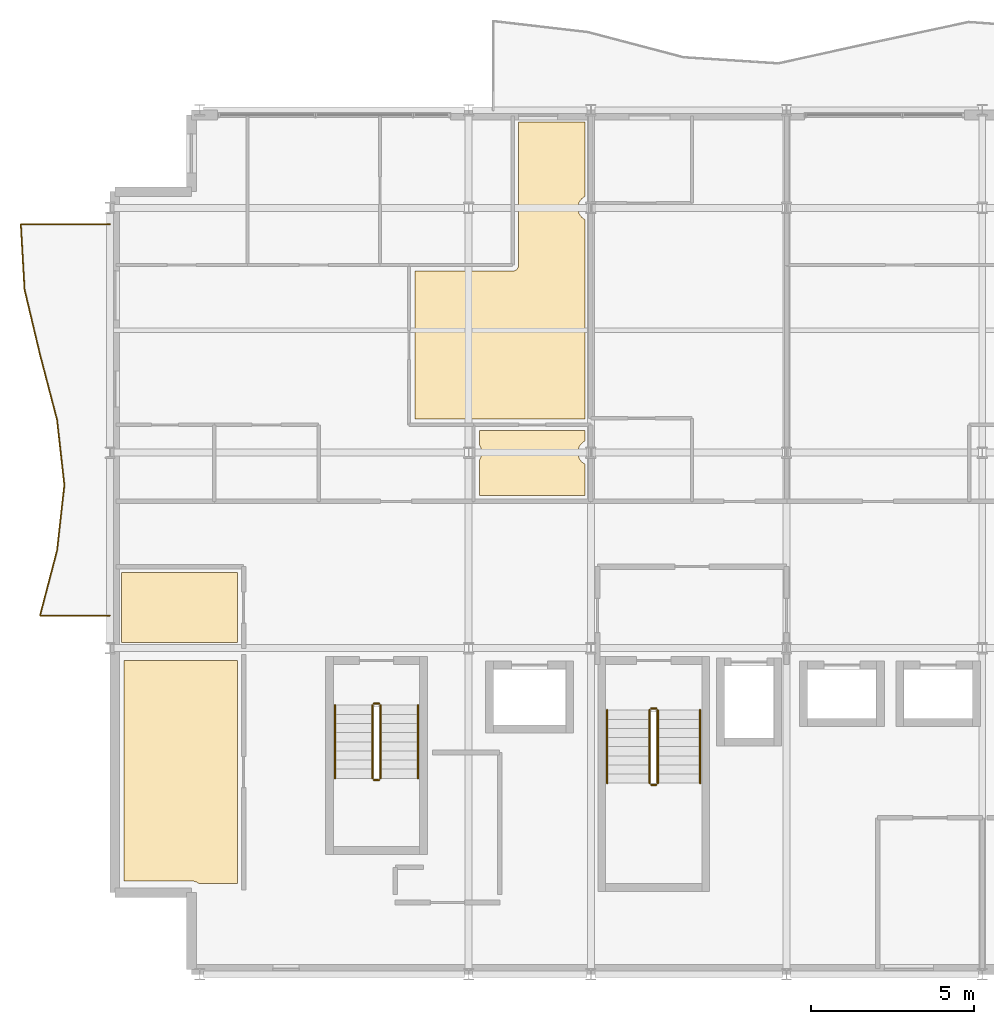
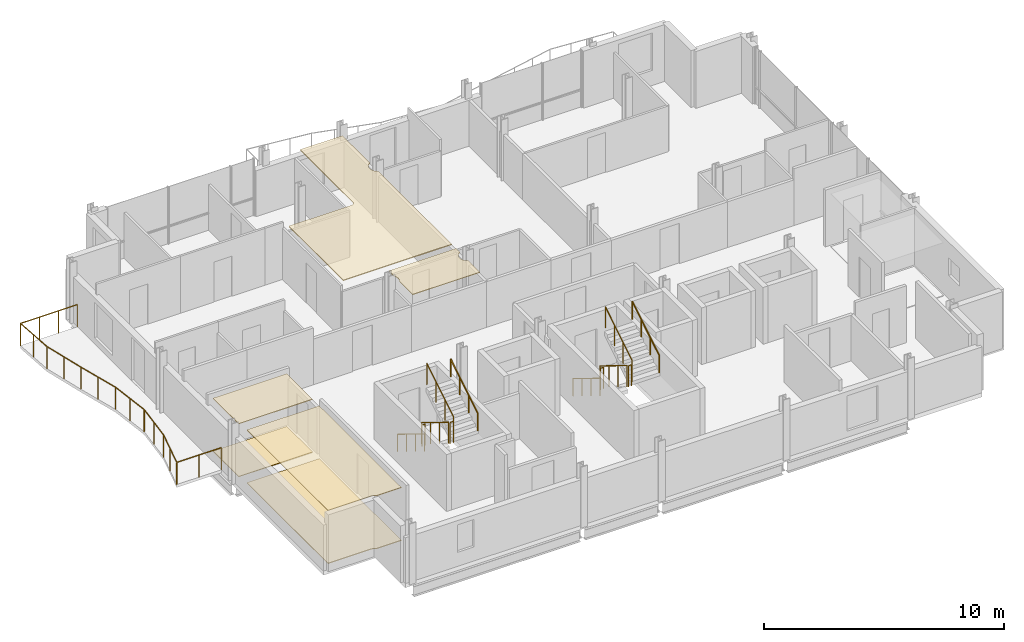
# One storey, part 11 of 12: 13 railings, 6 coverings.
"""IFC4 building model written with IfcOpenShell, lengths in metres."""

from ifc_helpers import new_model, si_unit, direction, frame, origin, origin_2d, place, context, subcontext, project, spatial, polyline, circle, outline, extrude, material, layer, layer_set, type_object, element, save


model = new_model("IFC4")

# Units and contexts
model_context = context("Model", 3, precision=1e-05, world=origin(), true_north=direction((0.0, 1.0)))
body_context = subcontext(model_context, "Body", "Model", "MODEL_VIEW")
ifc_project = project(units=[si_unit("LENGTHUNIT", "METRE"), si_unit("AREAUNIT", "SQUARE_METRE"), si_unit("VOLUMEUNIT", "CUBIC_METRE"), si_unit("PLANEANGLEUNIT", "RADIAN"), si_unit("MASSUNIT", "GRAM", prefix="KILO")], contexts=[model_context])

# Site, building, storey
site_placement = place(None, origin())
site = spatial("IfcSite", under=ifc_project, at=site_placement, CompositionType="ELEMENT")
building_placement = place(site_placement, origin())
building = spatial("IfcBuilding", under=site, at=building_placement, Name="Brevholm Reach", CompositionType="ELEMENT")
storey_placement = place(building_placement, frame((0.0, 0.0, 227.300048828125)))
storey = spatial("IfcBuildingStorey", under=building, at=storey_placement, Name="L69", CompositionType="ELEMENT", Elevation=227.300048828125)

# Coverings
ifc_material_1 = material(Name="Perforated Mineral-Fibre Class-A Acoustic Suspended Ceiling", Category="gypsum")
ifc_layer_1 = layer(ifc_material_1, 0.044921875)
ifc_layer_set_1 = layer_set([ifc_layer_1], Name="Perforated Mineral-Fibre Class-A Acoustic Suspended Ceiling")
covering_type_1 = type_object("IfcCoveringType", Name="COV-CLG-AC", PredefinedType="CEILING", material=ifc_layer_set_1)
covering_1_placement = place(storey_placement, frame((0.0, 0.0, 2.675048828125)))
element("IfcCovering", 1, at=covering_1_placement, inside=storey, type_object=covering_type_1, Name="L69 Suspended Ceiling L69-29", PredefinedType="CEILING", context=body_context, shape_type="SweptSolid", body=[
    extrude(outline(polyline([(36.597900390625, 17.030029296875), (36.597900390625, 21.566162109375), (39.603515625, 21.56689453125), (39.62109375, 21.56787109375), (39.638671875, 21.5703125), (39.65576171875, 21.57470703125), (39.67236328125, 21.58056640625), (39.6884765625, 21.588134765625), (39.70361328125, 21.59716796875), (39.7177734375, 21.60791015625), (39.730712890625, 21.61962890625), (39.74267578125, 21.6328125), (39.753173828125, 21.64697265625), (39.76220703125, 21.662109375), (39.769775390625, 21.677978515625), (39.775634765625, 21.694580078125), (39.780029296875, 21.711669921875), (39.78271484375, 21.729248046875), (39.783447265625, 21.746826171875), (39.784912109375, 26.139892578125), (41.820068359375, 26.139892578125), (41.820068359375, 23.856689453125), (41.811279296875, 23.852783203125), (41.77783203125, 23.83251953125), (41.74609375, 23.80908203125), (41.71728515625, 23.78271484375), (41.69091796875, 23.75390625), (41.66748046875, 23.72216796875), (41.647216796875, 23.688720703125), (41.63037109375, 23.653076171875), (41.6171875, 23.6162109375), (41.607666015625, 23.577880859375), (41.601806640625, 23.539306640625), (41.60009765625, 23.5), (41.601806640625, 23.460693359375), (41.607666015625, 23.422119140625), (41.6171875, 23.3837890625), (41.63037109375, 23.346923828125), (41.647216796875, 23.311279296875), (41.66748046875, 23.27783203125), (41.69091796875, 23.24609375), (41.71728515625, 23.21728515625), (41.74609375, 23.19091796875), (41.77783203125, 23.16748046875), (41.811279296875, 23.147216796875), (41.820068359375, 23.143310546875), (41.820068359375, 17.033935546875), (38.39990234375, 17.033935546875), (38.38232421875, 17.033203125), (38.364990234375, 17.030517578125), (38.36279296875, 17.030029296875), (36.597900390625, 17.030029296875)])), origin(), (0.0, 0.0, 1.0), 0.044921875),
])
ifc_material_2 = material(Name="Moisture-Resistant Skimmed Gypsum Plasterboard Ceiling", Category="gypsum")
ifc_layer_2 = layer(ifc_material_2, 0.030029296875)
ifc_layer_set_2 = layer_set([ifc_layer_2], Name="Moisture-Resistant Skimmed Gypsum Plasterboard Ceiling")
covering_type_2 = type_object("IfcCoveringType", Name="COV-CLG-GYP", PredefinedType="CEILING", material=ifc_layer_set_2)
covering_2_placement = place(storey_placement, frame((0.0, 0.0, 2.68994140625)))
element("IfcCovering", 2, at=covering_2_placement, inside=storey, type_object=covering_type_2, Name="L69 Suspended Ceiling L69-11", PredefinedType="CEILING", context=body_context, shape_type="SweptSolid", body=[
    extrude(outline(polyline([(31.166015625, 9.6201171875), (31.166015625, 2.780029296875), (29.9736328125, 2.780029296875), (29.94189453125, 2.803466796875), (29.92724609375, 2.81298828125), (29.911865234375, 2.821533203125), (29.8955078125, 2.828125), (29.845703125, 2.845947265625), (29.82470703125, 2.85205078125), (29.802978515625, 2.855712890625), (29.767822265625, 2.859130859375), (29.75, 2.860107421875), (27.679931640625, 2.860107421875), (27.679931640625, 9.6201171875), (31.166015625, 9.6201171875)])), origin(), (0.0, 0.0, 1.0), 0.030029296875),
])
covering_3_placement = place(storey_placement, frame((0.0, 0.0, 2.68994140625)))
element("IfcCovering", 3, at=covering_3_placement, inside=storey, type_object=covering_type_2, Name="L69 Suspended Ceiling L69-22", PredefinedType="CEILING", context=body_context, shape_type="SweptSolid", body=[
    extrude(outline(polyline([(27.610107421875, 10.179931640625), (27.610107421875, 12.31591796875), (31.166015625, 12.31591796875), (31.166015625, 10.179931640625), (27.610107421875, 10.179931640625)])), origin(), (0.0, 0.0, 1.0), 0.030029296875),
])
covering_4_placement = place(storey_placement, frame((0.0, 0.0, 2.68994140625)))
element("IfcCovering", 4, at=covering_4_placement, inside=storey, type_object=covering_type_2, Name="L69 Suspended Ceiling L69-25", PredefinedType="CEILING", context=body_context, shape_type="SweptSolid", body=[
    extrude(outline(polyline([(38.580078125, 15.7744140625), (38.58251953125, 15.77783203125), (38.602783203125, 15.811279296875), (38.61962890625, 15.846923828125), (38.6328125, 15.8837890625), (38.642333984375, 15.922119140625), (38.648193359375, 15.960693359375), (38.64990234375, 16.0), (38.648193359375, 16.039306640625), (38.642333984375, 16.077880859375), (38.6328125, 16.1162109375), (38.61962890625, 16.153076171875), (38.602783203125, 16.188720703125), (38.58251953125, 16.22216796875), (38.580078125, 16.2255859375), (38.580078125, 16.669921875), (41.820068359375, 16.669921875), (41.820068359375, 16.356689453125), (41.811279296875, 16.352783203125), (41.77783203125, 16.33251953125), (41.74609375, 16.30908203125), (41.71728515625, 16.28271484375), (41.69091796875, 16.25390625), (41.66748046875, 16.22216796875), (41.647216796875, 16.188720703125), (41.63037109375, 16.153076171875), (41.6171875, 16.1162109375), (41.607666015625, 16.077880859375), (41.601806640625, 16.039306640625), (41.60009765625, 16.0), (41.601806640625, 15.960693359375), (41.607666015625, 15.922119140625), (41.6171875, 15.8837890625), (41.63037109375, 15.846923828125), (41.647216796875, 15.811279296875), (41.66748046875, 15.77783203125), (41.69091796875, 15.74609375), (41.71728515625, 15.71728515625), (41.74609375, 15.69091796875), (41.77783203125, 15.66748046875), (41.811279296875, 15.647216796875), (41.820068359375, 15.643310546875), (41.820068359375, 14.68408203125), (38.580078125, 14.68408203125), (38.580078125, 15.7744140625)])), origin(), (0.0, 0.0, 1.0), 0.030029296875),
])
ifc_material_3 = material(Name="Honed Portland-Aggregate Resin Terrazzo Flooring", Category="concrete")
ifc_layer_3 = layer(ifc_material_3, 0.031982421875)
ifc_layer_set_3 = layer_set([ifc_layer_3], Name="Honed Portland-Aggregate Resin Terrazzo Flooring")
covering_type_3 = type_object("IfcCoveringType", Name="COV-FLR-TRZ", PredefinedType="FLOORING", material=ifc_layer_set_3)
covering_5_placement = place(storey_placement, origin())
element("IfcCovering", 5, at=covering_5_placement, inside=storey, type_object=covering_type_3, Name="L69 Floor Finish L69-11", PredefinedType="FLOORING", context=body_context, shape_type="SweptSolid", body=[
    extrude(outline(polyline([(31.166015625, 9.6201171875), (31.166015625, 2.780029296875), (29.9736328125, 2.780029296875), (29.94189453125, 2.803466796875), (29.92724609375, 2.81298828125), (29.911865234375, 2.821533203125), (29.8955078125, 2.828125), (29.845703125, 2.845947265625), (29.82470703125, 2.85205078125), (29.802978515625, 2.855712890625), (29.767822265625, 2.859130859375), (29.75, 2.860107421875), (27.679931640625, 2.860107421875), (27.679931640625, 9.6201171875), (31.166015625, 9.6201171875)])), origin(), (0.0, 0.0, 1.0), 0.031982421875),
])
covering_6_placement = place(storey_placement, origin())
element("IfcCovering", 6, at=covering_6_placement, inside=storey, type_object=covering_type_3, Name="L69 Floor Finish L69-22", PredefinedType="FLOORING", context=body_context, shape_type="SweptSolid", body=[
    extrude(outline(polyline([(27.610107421875, 10.179931640625), (27.610107421875, 12.31591796875), (31.166015625, 12.31591796875), (31.166015625, 10.179931640625), (27.610107421875, 10.179931640625)])), origin(), (0.0, 0.0, 1.0), 0.031982421875),
])

# Railings
ifc_material_4 = material(Name="Brushed Stainless Steel EN 1.4401 and Laminated Glass", Category="steel")
railing_type_1 = type_object("IfcRailingType", Name="RAL-BALC-1150", PredefinedType="BALUSTRADE", material=ifc_material_4)
railing_1_placement = place(storey_placement, frame((27.25, 23.0, 0.0)))
element("IfcRailing", 7, at=railing_1_placement, inside=storey, type_object=railing_type_1, Name="L69 Guard Balustrade RAL-L69-BAL-SLOT", PredefinedType="BALUSTRADE", context=body_context, shape_type="SweptSolid", body=[
    extrude(circle(Radius=0.02392578125, at=origin_2d()), frame((0.0, 0.0, 1.1259765625), z_axis=(-1.0, 0.0, 0.0), x_axis=(0.0, -1.0, 0.0)), (0.0, 0.0, 1.0), 2.735107421875),
    extrude(circle(Radius=0.02392578125, at=origin_2d()), frame((-2.735107421875, 0.0, 1.1259765625), z_axis=(0.056914431279, -0.998379060033, 0.0), x_axis=(0.998379060033, 0.056914431279, 0.0)), (0.0, 0.0, 1.0), 2.003173828125),
    extrude(circle(Radius=0.02392578125, at=origin_2d()), frame((-2.62109375, -2.0, 1.1259765625), z_axis=(0.231342224576, -0.972872435178, 0.0), x_axis=(0.972872435178, 0.231342224576, 0.0)), (0.0, 0.0, 1.0), 2.0556640625),
    extrude(circle(Radius=0.02392578125, at=origin_2d()), frame((-2.1455078125, -4.0, 1.1259765625), z_axis=(0.252638252457, -0.967560806045, 0.0), x_axis=(0.967560806045, 0.252638252457, 0.0)), (0.0, 0.0, 1.0), 2.067138671875),
    extrude(circle(Radius=0.02392578125, at=origin_2d()), frame((-1.623291015625, -6.0, 1.1259765625), z_axis=(0.111004059678, -0.993819952876, 0.0), x_axis=(0.993819952876, 0.111004059678, 0.0)), (0.0, 0.0, 1.0), 2.012451171875),
    extrude(circle(Radius=0.02392578125, at=origin_2d()), frame((-1.39990234375, -8.0, 1.1259765625), z_axis=(-0.111004059678, -0.993819952876, 0.0), x_axis=(0.993819952876, -0.111004059678, 0.0)), (0.0, 0.0, 1.0), 2.012451171875),
    extrude(circle(Radius=0.02392578125, at=origin_2d()), frame((-1.623291015625, -10.0, 1.1259765625), z_axis=(-0.252638252457, -0.967560806045, 0.0), x_axis=(0.967560806045, -0.252638252457, 0.0)), (0.0, 0.0, 1.0), 2.067138671875),
    extrude(circle(Radius=0.02392578125, at=origin_2d()), frame((-2.1455078125, -12.0, 1.1259765625), z_axis=(1.0, 0.0, 0.0), x_axis=(0.0, 1.0, 0.0)), (0.0, 0.0, 1.0), 2.1455078125),
    extrude(circle(Radius=0.02099609375, at=origin_2d()), origin(), (0.0, 0.0, 1.0), 1.101806640625),
    extrude(circle(Radius=0.02099609375, at=origin_2d()), frame((-0.91162109375, 0.0, 0.0)), (0.0, 0.0, 1.0), 1.101806640625),
    extrude(circle(Radius=0.02099609375, at=origin_2d()), frame((-1.823486328125, 0.0, 0.0)), (0.0, 0.0, 1.0), 1.101806640625),
    extrude(circle(Radius=0.02099609375, at=origin_2d()), frame((-2.735107421875, 0.0, 0.0)), (0.0, 0.0, 1.0), 1.101806640625),
    extrude(circle(Radius=0.02099609375, at=origin_2d()), frame((-2.67822265625, -1.0, 0.0)), (0.0, 0.0, 1.0), 1.101806640625),
    extrude(circle(Radius=0.02099609375, at=origin_2d()), frame((-2.62109375, -2.0, 0.0)), (0.0, 0.0, 1.0), 1.101806640625),
    extrude(circle(Radius=0.02099609375, at=origin_2d()), frame((-2.38330078125, -3.0, 0.0)), (0.0, 0.0, 1.0), 1.101806640625),
    extrude(circle(Radius=0.02099609375, at=origin_2d()), frame((-2.1455078125, -4.0, 0.0)), (0.0, 0.0, 1.0), 1.101806640625),
    extrude(circle(Radius=0.02099609375, at=origin_2d()), frame((-1.88427734375, -5.0, 0.0)), (0.0, 0.0, 1.0), 1.101806640625),
    extrude(circle(Radius=0.02099609375, at=origin_2d()), frame((-1.623291015625, -6.0, 0.0)), (0.0, 0.0, 1.0), 1.101806640625),
    extrude(circle(Radius=0.02099609375, at=origin_2d()), frame((-1.51171875, -7.0, 0.0)), (0.0, 0.0, 1.0), 1.101806640625),
    extrude(circle(Radius=0.02099609375, at=origin_2d()), frame((-1.39990234375, -8.0, 0.0)), (0.0, 0.0, 1.0), 1.101806640625),
    extrude(circle(Radius=0.02099609375, at=origin_2d()), frame((-1.51171875, -9.0, 0.0)), (0.0, 0.0, 1.0), 1.101806640625),
    extrude(circle(Radius=0.02099609375, at=origin_2d()), frame((-1.623291015625, -10.0, 0.0)), (0.0, 0.0, 1.0), 1.101806640625),
    extrude(circle(Radius=0.02099609375, at=origin_2d()), frame((-1.88427734375, -11.0, 0.0)), (0.0, 0.0, 1.0), 1.101806640625),
    extrude(circle(Radius=0.02099609375, at=origin_2d()), frame((-2.1455078125, -12.0, 0.0)), (0.0, 0.0, 1.0), 1.101806640625),
    extrude(circle(Radius=0.02099609375, at=origin_2d()), frame((-1.07275390625, -12.0, 0.0)), (0.0, 0.0, 1.0), 1.101806640625),
    extrude(circle(Radius=0.02099609375, at=origin_2d()), frame((0.0, -12.0, 0.0)), (0.0, 0.0, 1.0), 1.101806640625),
])
ifc_material_5 = material(Name="Brushed Stainless Steel EN 1.4401 Continuous Handrail", Category="steel")
railing_type_2 = type_object("IfcRailingType", Name="RAL-HND-950", PredefinedType="HANDRAIL", material=ifc_material_5)
railing_2_placement = place(storey_placement, frame((42.5, 8.10009765625, 0.172119140625)))
element("IfcRailing", 8, at=railing_2_placement, inside=storey, type_object=railing_type_2, Name="L69 ST-2 stair handrail 1", PredefinedType="HANDRAIL", context=body_context, shape_type="SweptSolid", body=[
    extrude(circle(Radius=0.02392578125, at=origin_2d()), frame((0.0, 0.0, 0.8857421875), z_axis=(0.0, -0.851747552033, 0.523952390591), x_axis=(1.0, 0.0, 0.0)), (0.0, 0.0, 1.0), 2.6298828125),
    extrude(circle(Radius=0.02099609375, at=origin_2d()), origin(), (0.0, 0.0, 1.0), 0.86181640625),
    extrude(circle(Radius=0.02099609375, at=origin_2d()), frame((0.0, -0.74658203125, 0.459228515625)), (0.0, 0.0, 1.0), 0.86181640625),
    extrude(circle(Radius=0.02099609375, at=origin_2d()), frame((0.0, -1.493408203125, 0.918701171875)), (0.0, 0.0, 1.0), 0.86181640625),
    extrude(circle(Radius=0.02099609375, at=origin_2d()), frame((0.0, -2.239990234375, 1.3779296875)), (0.0, 0.0, 1.0), 0.86181640625),
])
railing_3_placement = place(storey_placement, frame((45.35009765625, 5.860107421875, 1.72216796875)))
element("IfcRailing", 9, at=railing_3_placement, inside=storey, type_object=railing_type_2, Name="L69 ST-2 stair handrail 2", PredefinedType="HANDRAIL", context=body_context, shape_type="SweptSolid", body=[
    extrude(circle(Radius=0.02392578125, at=origin_2d()), frame((0.0, 0.0, 0.8857421875), z_axis=(0.0, 0.85178898068, 0.523885037382), x_axis=(-1.0, 0.0, 0.0)), (0.0, 0.0, 1.0), 2.629638671875),
    extrude(circle(Radius=0.02099609375, at=origin_2d()), origin(), (0.0, 0.0, 1.0), 0.86181640625),
    extrude(circle(Radius=0.02099609375, at=origin_2d()), frame((0.0, 0.74658203125, 0.459228515625)), (0.0, 0.0, 1.0), 0.86181640625),
    extrude(circle(Radius=0.02099609375, at=origin_2d()), frame((0.0, 1.493408203125, 0.91845703125)), (0.0, 0.0, 1.0), 0.86181640625),
    extrude(circle(Radius=0.02099609375, at=origin_2d()), frame((0.0, 2.239990234375, 1.377685546875)), (0.0, 0.0, 1.0), 0.86181640625),
])
railing_4_placement = place(storey_placement, frame((34.14990234375, 8.25, 0.172119140625)))
element("IfcRailing", 10, at=railing_4_placement, inside=storey, type_object=railing_type_2, Name="L69 ST-3 stair handrail 1", PredefinedType="HANDRAIL", context=body_context, shape_type="SweptSolid", body=[
    extrude(circle(Radius=0.02392578125, at=origin_2d()), frame((0.0, 0.0, 0.8857421875), z_axis=(0.0, -0.851747552033, 0.523952390591), x_axis=(1.0, 0.0, 0.0)), (0.0, 0.0, 1.0), 2.6298828125),
    extrude(circle(Radius=0.02099609375, at=origin_2d()), origin(), (0.0, 0.0, 1.0), 0.86181640625),
    extrude(circle(Radius=0.02099609375, at=origin_2d()), frame((0.0, -0.74658203125, 0.459228515625)), (0.0, 0.0, 1.0), 0.86181640625),
    extrude(circle(Radius=0.02099609375, at=origin_2d()), frame((0.0, -1.493408203125, 0.918701171875)), (0.0, 0.0, 1.0), 0.86181640625),
    extrude(circle(Radius=0.02099609375, at=origin_2d()), frame((0.0, -2.239990234375, 1.3779296875)), (0.0, 0.0, 1.0), 0.86181640625),
])
railing_5_placement = place(storey_placement, frame((36.699951171875, 6.010009765625, 1.72216796875)))
element("IfcRailing", 11, at=railing_5_placement, inside=storey, type_object=railing_type_2, Name="L69 ST-3 stair handrail 2", PredefinedType="HANDRAIL", context=body_context, shape_type="SweptSolid", body=[
    extrude(circle(Radius=0.02392578125, at=origin_2d()), frame((0.0, 0.0, 0.8857421875), z_axis=(0.0, 0.85178898068, 0.523885037382), x_axis=(-1.0, 0.0, 0.0)), (0.0, 0.0, 1.0), 2.629638671875),
    extrude(circle(Radius=0.02099609375, at=origin_2d()), origin(), (0.0, 0.0, 1.0), 0.86181640625),
    extrude(circle(Radius=0.02099609375, at=origin_2d()), frame((0.0, 0.74658203125, 0.459228515625)), (0.0, 0.0, 1.0), 0.86181640625),
    extrude(circle(Radius=0.02099609375, at=origin_2d()), frame((0.0, 1.493408203125, 0.91845703125)), (0.0, 0.0, 1.0), 0.86181640625),
    extrude(circle(Radius=0.02099609375, at=origin_2d()), frame((0.0, 2.239990234375, 1.377685546875)), (0.0, 0.0, 1.0), 0.86181640625),
])
ifc_material_6 = material(Name="Painted Tubular Galvanised Steel S275JR Stair Guard", Category="steel")
railing_type_3 = type_object("IfcRailingType", Name="RAL-STG-1120", PredefinedType="BALUSTRADE", material=ifc_material_6)
railing_6_placement = place(storey_placement, frame((43.800048828125, 8.10009765625, 0.172119140625)))
element("IfcRailing", 12, at=railing_6_placement, inside=storey, type_object=railing_type_3, Name="L69 ST-2 stair guard 1", PredefinedType="BALUSTRADE", context=body_context, shape_type="SweptSolid", body=[
    extrude(circle(Radius=0.02392578125, at=origin_2d()), frame((0.0, 0.0, 1.076171875), z_axis=(0.0, -0.851747552033, 0.523952390591), x_axis=(1.0, 0.0, 0.0)), (0.0, 0.0, 1.0), 2.6298828125),
    extrude(circle(Radius=0.02099609375, at=origin_2d()), origin(), (0.0, 0.0, 1.0), 1.052001953125),
    extrude(circle(Radius=0.02099609375, at=origin_2d()), frame((0.0, -0.74658203125, 0.459228515625)), (0.0, 0.0, 1.0), 1.052001953125),
    extrude(circle(Radius=0.02099609375, at=origin_2d()), frame((0.0, -1.493408203125, 0.918701171875)), (0.0, 0.0, 1.0), 1.052001953125),
    extrude(circle(Radius=0.02099609375, at=origin_2d()), frame((0.0, -2.239990234375, 1.3779296875)), (0.0, 0.0, 1.0), 1.052001953125),
])
railing_7_placement = place(storey_placement, frame((43.85009765625, 5.81005859375, 1.550048828125)))
element("IfcRailing", 13, at=railing_7_placement, inside=storey, type_object=railing_type_3, Name="L69 ST-2 stair guard 2", PredefinedType="BALUSTRADE", context=body_context, shape_type="SweptSolid", body=[
    extrude(circle(Radius=0.02392578125, at=origin_2d()), frame((0.0, 0.0, 1.076171875), z_axis=(1.0, 0.0, 0.0), x_axis=(0.0, 1.0, 0.0)), (0.0, 0.0, 1.0), 0.14990234375),
    extrude(circle(Radius=0.02099609375, at=origin_2d()), origin(), (0.0, 0.0, 1.0), 1.052001953125),
    extrude(circle(Radius=0.02099609375, at=origin_2d()), frame((0.14990234375, 0.0, 0.0)), (0.0, 0.0, 1.0), 1.052001953125),
])
railing_8_placement = place(storey_placement, frame((44.050048828125, 5.860107421875, 1.72216796875)))
element("IfcRailing", 14, at=railing_8_placement, inside=storey, type_object=railing_type_3, Name="L69 ST-2 stair guard 3", PredefinedType="BALUSTRADE", context=body_context, shape_type="SweptSolid", body=[
    extrude(circle(Radius=0.02392578125, at=origin_2d()), frame((0.0, 0.0, 1.076171875), z_axis=(0.0, 0.85178898068, 0.523885037382), x_axis=(-1.0, 0.0, 0.0)), (0.0, 0.0, 1.0), 2.629638671875),
    extrude(circle(Radius=0.02099609375, at=origin_2d()), origin(), (0.0, 0.0, 1.0), 1.052001953125),
    extrude(circle(Radius=0.02099609375, at=origin_2d()), frame((0.0, 0.74658203125, 0.459228515625)), (0.0, 0.0, 1.0), 1.052001953125),
    extrude(circle(Radius=0.02099609375, at=origin_2d()), frame((0.0, 1.493408203125, 0.91845703125)), (0.0, 0.0, 1.0), 1.052001953125),
    extrude(circle(Radius=0.02099609375, at=origin_2d()), frame((0.0, 2.239990234375, 1.377685546875)), (0.0, 0.0, 1.0), 1.052001953125),
])
railing_9_placement = place(storey_placement, frame((43.85009765625, 8.14990234375, 0.0)))
element("IfcRailing", 15, at=railing_9_placement, inside=storey, type_object=railing_type_3, Name="L69 ST-2 stair guard 4", PredefinedType="BALUSTRADE", context=body_context, shape_type="SweptSolid", body=[
    extrude(circle(Radius=0.02392578125, at=origin_2d()), frame((0.0, 0.0, 1.076171875), z_axis=(1.0, 0.0, 0.0), x_axis=(0.0, 1.0, 0.0)), (0.0, 0.0, 1.0), 0.14990234375),
    extrude(circle(Radius=0.02099609375, at=origin_2d()), origin(), (0.0, 0.0, 1.0), 1.052001953125),
    extrude(circle(Radius=0.02099609375, at=origin_2d()), frame((0.14990234375, 0.0, 0.0)), (0.0, 0.0, 1.0), 1.052001953125),
])
railing_10_placement = place(storey_placement, frame((35.300048828125, 8.25, 0.172119140625)))
element("IfcRailing", 16, at=railing_10_placement, inside=storey, type_object=railing_type_3, Name="L69 ST-3 stair guard 1", PredefinedType="BALUSTRADE", context=body_context, shape_type="SweptSolid", body=[
    extrude(circle(Radius=0.02392578125, at=origin_2d()), frame((0.0, 0.0, 1.076171875), z_axis=(0.0, -0.851747552033, 0.523952390591), x_axis=(1.0, 0.0, 0.0)), (0.0, 0.0, 1.0), 2.6298828125),
    extrude(circle(Radius=0.02099609375, at=origin_2d()), origin(), (0.0, 0.0, 1.0), 1.052001953125),
    extrude(circle(Radius=0.02099609375, at=origin_2d()), frame((0.0, -0.74658203125, 0.459228515625)), (0.0, 0.0, 1.0), 1.052001953125),
    extrude(circle(Radius=0.02099609375, at=origin_2d()), frame((0.0, -1.493408203125, 0.918701171875)), (0.0, 0.0, 1.0), 1.052001953125),
    extrude(circle(Radius=0.02099609375, at=origin_2d()), frame((0.0, -2.239990234375, 1.3779296875)), (0.0, 0.0, 1.0), 1.052001953125),
])
railing_11_placement = place(storey_placement, frame((35.35009765625, 5.9599609375, 1.550048828125)))
element("IfcRailing", 17, at=railing_11_placement, inside=storey, type_object=railing_type_3, Name="L69 ST-3 stair guard 2", PredefinedType="BALUSTRADE", context=body_context, shape_type="SweptSolid", body=[
    extrude(circle(Radius=0.02392578125, at=origin_2d()), frame((0.0, 0.0, 1.076171875), z_axis=(1.0, 0.0, 0.0), x_axis=(0.0, 1.0, 0.0)), (0.0, 0.0, 1.0), 0.14990234375),
    extrude(circle(Radius=0.02099609375, at=origin_2d()), origin(), (0.0, 0.0, 1.0), 1.052001953125),
    extrude(circle(Radius=0.02099609375, at=origin_2d()), frame((0.14990234375, 0.0, 0.0)), (0.0, 0.0, 1.0), 1.052001953125),
])
railing_12_placement = place(storey_placement, frame((35.550048828125, 6.010009765625, 1.72216796875)))
element("IfcRailing", 18, at=railing_12_placement, inside=storey, type_object=railing_type_3, Name="L69 ST-3 stair guard 3", PredefinedType="BALUSTRADE", context=body_context, shape_type="SweptSolid", body=[
    extrude(circle(Radius=0.02392578125, at=origin_2d()), frame((0.0, 0.0, 1.076171875), z_axis=(0.0, 0.85178898068, 0.523885037382), x_axis=(-1.0, 0.0, 0.0)), (0.0, 0.0, 1.0), 2.629638671875),
    extrude(circle(Radius=0.02099609375, at=origin_2d()), origin(), (0.0, 0.0, 1.0), 1.052001953125),
    extrude(circle(Radius=0.02099609375, at=origin_2d()), frame((0.0, 0.74658203125, 0.459228515625)), (0.0, 0.0, 1.0), 1.052001953125),
    extrude(circle(Radius=0.02099609375, at=origin_2d()), frame((0.0, 1.493408203125, 0.91845703125)), (0.0, 0.0, 1.0), 1.052001953125),
    extrude(circle(Radius=0.02099609375, at=origin_2d()), frame((0.0, 2.239990234375, 1.377685546875)), (0.0, 0.0, 1.0), 1.052001953125),
])
railing_13_placement = place(storey_placement, frame((35.35009765625, 8.300048828125, 0.0)))
element("IfcRailing", 19, at=railing_13_placement, inside=storey, type_object=railing_type_3, Name="L69 ST-3 stair guard 4", PredefinedType="BALUSTRADE", context=body_context, shape_type="SweptSolid", body=[
    extrude(circle(Radius=0.02392578125, at=origin_2d()), frame((0.0, 0.0, 1.076171875), z_axis=(1.0, 0.0, 0.0), x_axis=(0.0, 1.0, 0.0)), (0.0, 0.0, 1.0), 0.14990234375),
    extrude(circle(Radius=0.02099609375, at=origin_2d()), origin(), (0.0, 0.0, 1.0), 1.052001953125),
    extrude(circle(Radius=0.02099609375, at=origin_2d()), frame((0.14990234375, 0.0, 0.0)), (0.0, 0.0, 1.0), 1.052001953125),
])

save(model, "model.ifc")
